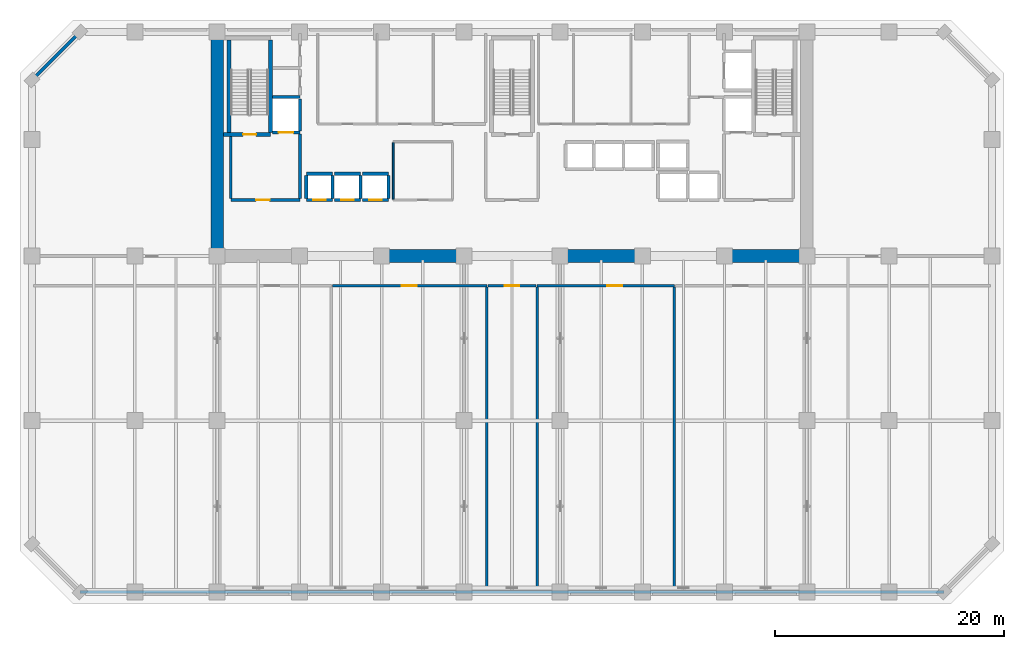
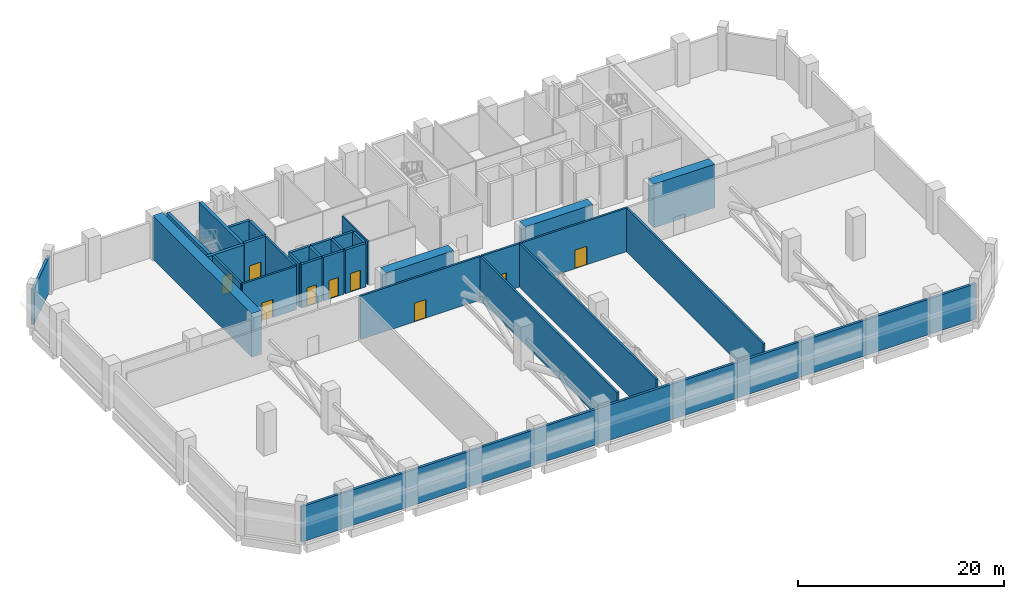
# One storey, part 8 of 15: 32 walls, 9 doors, 9 openings.
"""IFC4 building model written with IfcOpenShell, lengths in metres."""

from ifc_helpers import new_model, si_unit, direction, frame, frame_2d, origin, place, context, subcontext, project, spatial, rectangle, extrude, material, layer, layer_set, type_object, element, fill, save


model = new_model("IFC4")

# Units and contexts
model_context = context("Model", 3, precision=1e-05, world=origin(), true_north=direction((0.0, 1.0)))
body_context = subcontext(model_context, "Body", "Model", "MODEL_VIEW")
ifc_project = project(units=[si_unit("LENGTHUNIT", "METRE"), si_unit("AREAUNIT", "SQUARE_METRE"), si_unit("VOLUMEUNIT", "CUBIC_METRE"), si_unit("PLANEANGLEUNIT", "RADIAN"), si_unit("MASSUNIT", "GRAM", prefix="KILO")], contexts=[model_context])

# Site, building, storey
site_placement = place(None, origin())
site = spatial("IfcSite", under=ifc_project, at=site_placement, CompositionType="ELEMENT")
building_placement = place(site_placement, origin())
building = spatial("IfcBuilding", under=site, at=building_placement, Name="Kaelvorn Grand Hotel", CompositionType="ELEMENT")
storey_placement = place(building_placement, frame((0.0, 0.0, 80.14990234375)))
storey = spatial("IfcBuildingStorey", under=building, at=storey_placement, Name="L18", CompositionType="ELEMENT", Elevation=80.14990234375)

# Walls
ifc_material_1 = material(Name="Concrete C80/95", Category="concrete")
ifc_layer_1 = layer(ifc_material_1, 1.10009765625)
ifc_layer_set_1 = layer_set([ifc_layer_1], Name="Concrete C80/95")
wall_type_1 = type_object("IfcWallType", Name="WL-CORE-1100-C80", PredefinedType="SHEAR", material=ifc_layer_set_1)
wall_1_placement = place(storey_placement, frame((16.199951171875, 29.39990234375, 0.0), z_axis=(0.0, 0.0, 1.0), x_axis=(0.0, 1.0, 0.0)))
element("IfcWall", 1, at=wall_1_placement, inside=storey, type_object=wall_type_1, Name="L18 Rear-Core West Shear Wall", PredefinedType="SHEAR", context=body_context, shape_type="SweptSolid", body=[
    extrude(rectangle(XDim=19.2001953125, YDim=1.10009765625, at=frame_2d((9.60009765625, 0.0))), origin(), (0.0, 0.0, 1.0), 5.16015625),
])
for number, where, z_axis, x_axis, name in (
    (2, (30.39990234375, 29.39990234375, 0.0), (0.0, 0.0, 1.0), (1.0, 0.0, 0.0), "L18 Rear-Core Coupled Shear Pier S2"),
    (3, (46.0, 29.39990234375, 0.0), (0.0, 0.0, 1.0), (1.0, 0.0, 0.0), "L18 Rear-Core Coupled Shear Pier S3"),
):
    element("IfcWall", number, at=place(storey_placement, frame(where, z_axis=z_axis, x_axis=x_axis)), inside=storey, type_object=wall_type_1, Name=name, PredefinedType="SHEAR", context=body_context, shape_type="SweptSolid", body=[
        extrude(rectangle(XDim=7.60009765625, YDim=1.10009765625, at=frame_2d((3.800048828125, 0.0))), origin(), (0.0, 0.0, 1.0), 5.16015625),
    ])
wall_2_placement = place(storey_placement, frame((60.39990234375, 29.39990234375, 0.0), z_axis=(0.0, 0.0, 1.0), x_axis=(1.0, 0.0, 0.0)))
element("IfcWall", 4, at=wall_2_placement, inside=storey, type_object=wall_type_1, Name="L18 Rear-Core Coupled Shear Pier S4", PredefinedType="SHEAR", context=body_context, shape_type="SweptSolid", body=[
    extrude(rectangle(XDim=6.84521484375, YDim=1.10009765625, at=frame_2d((3.422607421875, 0.0))), origin(), (0.0, 0.0, 1.0), 5.16015625),
])
ifc_material_2 = material(Name="Concrete C40/50", Category="concrete")
ifc_layer_2 = layer(ifc_material_2, 0.280029296875)
ifc_layer_set_2 = layer_set([ifc_layer_2], Name="Concrete C40/50")
wall_type_2 = type_object("IfcWallType", Name="WL-EXT-280-C40", PredefinedType="SOLIDWALL", material=ifc_layer_set_2)
wall_3_placement = place(storey_placement, frame((4.199951171875, 0.0, 0.0), z_axis=(0.0, 0.0, 1.0), x_axis=(1.0, 0.0, 0.0)))
element("IfcWall", 5, at=wall_3_placement, inside=storey, type_object=wall_type_2, Name="L18 Exterior Architectural Concrete Wall 01", PredefinedType="SOLIDWALL", context=body_context, shape_type="SweptSolid", body=[
    extrude(rectangle(XDim=75.60009765625, YDim=0.280029296875, at=frame_2d((37.800048828125, 0.0))), origin(), (0.0, 0.0, 1.0), 4.210205078125),
])
wall_4_placement = place(storey_placement, frame((4.199951171875, 49.0, 0.0), z_axis=(0.0, 0.0, 1.0), x_axis=(-0.707106781187, -0.707106781187, 0.0)))
element("IfcWall", 6, at=wall_4_placement, inside=storey, type_object=wall_type_2, Name="L18 Exterior Architectural Concrete Wall 06", PredefinedType="SOLIDWALL", context=body_context, shape_type="SweptSolid", body=[
    extrude(rectangle(XDim=5.939697265625, YDim=0.280029296875, at=frame_2d((2.9697265625, 0.0))), origin(), (0.0, 0.0, 1.0), 4.210205078125),
])
ifc_material_3 = material(Name="Acoustic Gypsum & Stud Partition")
ifc_layer_3 = layer(ifc_material_3, 0.14990234375)
ifc_layer_set_3 = layer_set([ifc_layer_3], Name="Acoustic Gypsum & Stud Partition")
wall_type_3 = type_object("IfcWallType", Name="WL-PART-150-EI60", PredefinedType="PARTITIONING", material=ifc_layer_set_3)
wall_5_placement = place(storey_placement, frame((31.60009765625, 34.3798828125, 0.0), z_axis=(0.0, 0.0, 1.0), x_axis=(0.0, 1.0, 0.0)))
element("IfcWall", 7, at=wall_5_placement, inside=storey, type_object=wall_type_3, Name="L18 Core Telecoms & BMS Server Room W Partition", PredefinedType="PARTITIONING", context=body_context, shape_type="SweptSolid", body=[
    extrude(rectangle(XDim=4.940185546875, YDim=0.14990234375, at=frame_2d((2.47021484375, 0.0))), origin(), (0.0, 0.0, 1.0), 5.16015625),
])

# Wall, opening, door
ifc_layer_4 = layer(ifc_material_2, 0.219970703125)
ifc_layer_set_4 = layer_set([ifc_layer_4], Name="Concrete C40/50")
wall_type_4 = type_object("IfcWallType", Name="WL-PART-220-EI120", PredefinedType="PARTITIONING", material=ifc_layer_set_4)
wall_6_placement = place(storey_placement, frame((17.39990234375, 34.300048828125, 0.0), z_axis=(0.0, 0.0, 1.0), x_axis=(1.0, 0.0, 0.0)))
wall_6 = element("IfcWall", 8, at=wall_6_placement, inside=storey, type_object=wall_type_4, Name="L18 Firefighting Lift Lobby 1 S Partition", PredefinedType="PARTITIONING", context=body_context, shape_type="SweptSolid", body=[
    extrude(rectangle(XDim=6.050048828125, YDim=0.219970703125, at=frame_2d((3.02490234375, 0.0))), origin(), (0.0, 0.0, 1.0), 5.16015625),
])
opening_1_placement = place(wall_6_placement, frame((2.199951171875, 0.0, 0.0)))
opening_1 = element("IfcOpeningElement", 9, at=opening_1_placement, cuts=wall_6, Name="Opening DI2", PredefinedType="OPENING", context=body_context, shape_type="SweptSolid", body=[
    extrude(rectangle(XDim=1.199951171875, YDim=2.14990234375, at=frame_2d((0.60009765625, 1.074951171875))), frame((0.0, 0.1201171875, 0.0), z_axis=(0.0, -1.0, 0.0), x_axis=(1.0, 0.0, 0.0)), (0.0, 0.0, 1.0), 0.239990234375),
])
ifc_material_4 = material(Name="Timber Veneer Fire Leaf", Category="wood")
door_type_1 = type_object("IfcDoorType", Name="DR-INT-FFLOB-1200x2150", OperationType="NOTDEFINED", PredefinedType="DOOR", material=ifc_material_4)
door_1_placement = place(opening_1_placement, origin())
door_1 = element("IfcDoor", 10, at=door_1_placement, inside=storey, type_object=door_type_1, Name="L18 Firefighting Lift Lobby 1 Door", OperationType="SINGLE_SWING_RIGHT", OverallHeight=2.14990234375, OverallWidth=1.199951171875, PredefinedType="DOOR", context=body_context, shape_type="SweptSolid", body=[
    extrude(rectangle(XDim=1.199951171875, YDim=2.14990234375, at=frame_2d((0.60009765625, 1.074951171875))), frame((0.0, 0.02490234375, 0.0), z_axis=(0.0, -1.0, 0.0), x_axis=(1.0, 0.0, 0.0)), (0.0, 0.0, 1.0), 0.050048828125),
])
fill(opening_1, door_1)

# Walls
wall_7_placement = place(storey_placement, frame((17.39990234375, 34.4150390625, 0.0), z_axis=(0.0, 0.0, 1.0), x_axis=(0.0, 1.0, 0.0)))
element("IfcWall", 11, at=wall_7_placement, inside=storey, type_object=wall_type_4, Name="L18 Firefighting Lift Lobby 1 W Partition", PredefinedType="PARTITIONING", context=body_context, shape_type="SweptSolid", body=[
    extrude(rectangle(XDim=5.429931640625, YDim=0.219970703125, at=frame_2d((2.71484375, 0.0))), origin(), (0.0, 0.0, 1.0), 5.16015625),
])
wall_8_placement = place(storey_placement, frame((23.449951171875, 34.4150390625, 0.0), z_axis=(0.0, 0.0, 1.0), x_axis=(0.0, 1.0, 0.0)))
element("IfcWall", 12, at=wall_8_placement, inside=storey, type_object=wall_type_4, Name="L18 Firefighting Lift Lobby 1 E Partition", PredefinedType="PARTITIONING", context=body_context, shape_type="SweptSolid", body=[
    extrude(rectangle(XDim=5.639892578125, YDim=0.219970703125, at=frame_2d((2.81982421875, 0.0))), origin(), (0.0, 0.0, 1.0), 5.16015625),
])

# Wall, opening, door
wall_9_placement = place(storey_placement, frame((26.31494140625, 26.800048828125, 0.0), z_axis=(0.0, 0.0, 1.0), x_axis=(1.0, 0.0, 0.0)))
wall_9 = element("IfcWall", 13, at=wall_9_placement, inside=storey, type_object=wall_type_4, Name="L18 AHU Mechanical Ventilation Plant Room N Partition", PredefinedType="PARTITIONING", context=body_context, shape_type="SweptSolid", body=[
    extrude(rectangle(XDim=13.485107421875, YDim=0.219970703125, at=frame_2d((6.74267578125, 0.0))), origin(), (0.0, 0.0, 1.0), 5.16015625),
])
opening_2_placement = place(wall_9_placement, frame((6.034912109375, 0.0, 0.0)))
opening_2 = element("IfcOpeningElement", 14, at=opening_2_placement, cuts=wall_9, Name="Opening DI6", PredefinedType="OPENING", context=body_context, shape_type="SweptSolid", body=[
    extrude(rectangle(XDim=1.300048828125, YDim=2.199951171875, at=frame_2d((0.64990234375, 1.10009765625))), frame((0.0, 0.1201171875, 0.0), z_axis=(0.0, -1.0, 0.0), x_axis=(1.0, 0.0, 0.0)), (0.0, 0.0, 1.0), 0.239990234375),
])
ifc_material_5 = material(Name="Powder-Coated Steel Leaf", Category="steel")
door_type_2 = type_object("IfcDoorType", Name="DR-INT-PLANT-1300x2200", OperationType="DOUBLE_DOOR_SINGLE_SWING", PredefinedType="DOOR", material=ifc_material_5)
door_2_placement = place(opening_2_placement, origin())
door_2 = element("IfcDoor", 15, at=door_2_placement, inside=storey, type_object=door_type_2, Name="L18 AHU Mechanical Ventilation Plant Room Door", OperationType="DOUBLE_DOOR_SINGLE_SWING", OverallHeight=2.199951171875, OverallWidth=1.300048828125, PredefinedType="DOOR", context=body_context, shape_type="SweptSolid", body=[
    extrude(rectangle(XDim=1.300048828125, YDim=2.199951171875, at=frame_2d((0.64990234375, 1.10009765625))), frame((0.0, 0.02490234375, 0.0), z_axis=(0.0, -1.0, 0.0), x_axis=(1.0, 0.0, 0.0)), (0.0, 0.0, 1.0), 0.050048828125),
])
fill(opening_2, door_2)

# Wall
wall_10_placement = place(storey_placement, frame((39.800048828125, 0.14990234375, 0.0), z_axis=(0.0, 0.0, 1.0), x_axis=(0.0, 1.0, 0.0)))
element("IfcWall", 16, at=wall_10_placement, inside=storey, type_object=wall_type_4, Name="L18 AHU Mechanical Ventilation Plant Room E Partition", PredefinedType="PARTITIONING", context=body_context, shape_type="SweptSolid", body=[
    extrude(rectangle(XDim=26.53515625, YDim=0.219970703125, at=frame_2d((13.267578125, 0.0))), origin(), (0.0, 0.0, 1.0), 5.16015625),
])

# Wall, opening, door
wall_11_placement = place(storey_placement, frame((44.199951171875, 26.800048828125, 0.0), z_axis=(0.0, 0.0, 1.0), x_axis=(1.0, 0.0, 0.0)))
wall_11 = element("IfcWall", 17, at=wall_11_placement, inside=storey, type_object=wall_type_4, Name="L18 HV Electrical Transformer & Switchroom N Partition", PredefinedType="PARTITIONING", context=body_context, shape_type="SweptSolid", body=[
    extrude(rectangle(XDim=12.0, YDim=0.219970703125, at=frame_2d((6.0, 0.0))), origin(), (0.0, 0.0, 1.0), 5.16015625),
])
opening_3_placement = place(wall_11_placement, frame((6.14990234375, 0.0, 0.0)))
opening_3 = element("IfcOpeningElement", 18, at=opening_3_placement, cuts=wall_11, Name="Opening DI6", PredefinedType="OPENING", context=body_context, shape_type="SweptSolid", body=[
    extrude(rectangle(XDim=1.300048828125, YDim=2.199951171875, at=frame_2d((0.64990234375, 1.10009765625))), frame((0.0, 0.1201171875, 0.0), z_axis=(0.0, -1.0, 0.0), x_axis=(1.0, 0.0, 0.0)), (0.0, 0.0, 1.0), 0.239990234375),
])
door_3_placement = place(opening_3_placement, origin())
door_3 = element("IfcDoor", 19, at=door_3_placement, inside=storey, type_object=door_type_2, Name="L18 HV Electrical Transformer & Switchroom Door", OperationType="DOUBLE_DOOR_SINGLE_SWING", OverallHeight=2.199951171875, OverallWidth=1.300048828125, PredefinedType="DOOR", context=body_context, shape_type="SweptSolid", body=[
    extrude(rectangle(XDim=1.300048828125, YDim=2.199951171875, at=frame_2d((0.64990234375, 1.10009765625))), frame((0.0, 0.02490234375, 0.0), z_axis=(0.0, -1.0, 0.0), x_axis=(1.0, 0.0, 0.0)), (0.0, 0.0, 1.0), 0.050048828125),
])
fill(opening_3, door_3)

# Walls
for number, where, z_axis, x_axis, name in (
    (20, (44.199951171875, 0.14990234375, 0.0), (0.0, 0.0, 1.0), (0.0, 1.0, 0.0), "L18 HV Electrical Transformer & Switchroom W Partition"),
    (21, (56.199951171875, 0.14990234375, 0.0), (0.0, 0.0, 1.0), (0.0, 1.0, 0.0), "L18 HV Electrical Transformer & Switchroom E Partition"),
):
    element("IfcWall", number, at=place(storey_placement, frame(where, z_axis=z_axis, x_axis=x_axis)), inside=storey, type_object=wall_type_4, Name=name, PredefinedType="PARTITIONING", context=body_context, shape_type="SweptSolid", body=[
        extrude(rectangle(XDim=26.53515625, YDim=0.219970703125, at=frame_2d((13.267578125, 0.0))), origin(), (0.0, 0.0, 1.0), 5.16015625),
    ])

# Wall, opening, door
wall_12_placement = place(storey_placement, frame((39.9150390625, 26.800048828125, 0.0), z_axis=(0.0, 0.0, 1.0), x_axis=(1.0, 0.0, 0.0)))
wall_12 = element("IfcWall", 22, at=wall_12_placement, inside=storey, type_object=wall_type_4, Name="L18 Smoke Control & BMS Telemetry Room N Partition", PredefinedType="PARTITIONING", context=body_context, shape_type="SweptSolid", body=[
    extrude(rectangle(XDim=4.169921875, YDim=0.219970703125, at=frame_2d((2.0849609375, 0.0))), origin(), (0.0, 0.0, 1.0), 5.16015625),
])
opening_4_placement = place(wall_12_placement, frame((1.43505859375, 0.0, 0.0)))
opening_4 = element("IfcOpeningElement", 23, at=opening_4_placement, cuts=wall_12, Name="Opening DI6", PredefinedType="OPENING", context=body_context, shape_type="SweptSolid", body=[
    extrude(rectangle(XDim=1.300048828125, YDim=2.199951171875, at=frame_2d((0.64990234375, 1.10009765625))), frame((0.0, 0.1201171875, 0.0), z_axis=(0.0, -1.0, 0.0), x_axis=(1.0, 0.0, 0.0)), (0.0, 0.0, 1.0), 0.239990234375),
])
door_4_placement = place(opening_4_placement, origin())
door_4 = element("IfcDoor", 24, at=door_4_placement, inside=storey, type_object=door_type_2, Name="L18 Smoke Control & BMS Telemetry Room Door", OperationType="DOUBLE_DOOR_SINGLE_SWING", OverallHeight=2.199951171875, OverallWidth=1.300048828125, PredefinedType="DOOR", context=body_context, shape_type="SweptSolid", body=[
    extrude(rectangle(XDim=1.300048828125, YDim=2.199951171875, at=frame_2d((0.64990234375, 1.10009765625))), frame((0.0, 0.02490234375, 0.0), z_axis=(0.0, -1.0, 0.0), x_axis=(1.0, 0.0, 0.0)), (0.0, 0.0, 1.0), 0.050048828125),
])
fill(opening_4, door_4)

ifc_material_6 = material(Name="Concrete C50/60", Category="concrete")
ifc_layer_5 = layer(ifc_material_6, 0.280029296875)
ifc_layer_set_5 = layer_set([ifc_layer_5], Name="Concrete C50/60")
wall_type_5 = type_object("IfcWallType", Name="WL-SHAFT-280-C50", PredefinedType="SHEAR", material=ifc_layer_set_5)
wall_13_placement = place(storey_placement, frame((24.0, 34.300048828125, 0.0), z_axis=(0.0, 0.0, 1.0), x_axis=(1.0, 0.0, 0.0)))
wall_13 = element("IfcWall", 25, at=wall_13_placement, inside=storey, type_object=wall_type_5, Name="L18 Lift PL-L1 Shaft South Wall", PredefinedType="SHEAR", context=body_context, shape_type="SweptSolid", body=[
    extrude(rectangle(XDim=2.300048828125, YDim=0.280029296875, at=frame_2d((1.14990234375, 0.0))), origin(), (0.0, 0.0, 1.0), 5.16015625),
])
opening_5_placement = place(wall_13_placement, frame((0.60009765625, 0.0, 0.0)))
opening_5 = element("IfcOpeningElement", 26, at=opening_5_placement, cuts=wall_13, Name="Opening LD-PL-L1", PredefinedType="OPENING", context=body_context, shape_type="SweptSolid", body=[
    extrude(rectangle(XDim=1.10009765625, YDim=2.199951171875, at=frame_2d((0.550048828125, 1.10009765625))), frame((0.0, 0.14990234375, 0.0), z_axis=(0.0, -1.0, 0.0), x_axis=(1.0, 0.0, 0.0)), (0.0, 0.0, 1.0), 0.300048828125),
])
ifc_material_7 = material(Name="Stainless Steel", Category="steel")
door_type_3 = type_object("IfcDoorType", Name="DR-LIFT-PASS-1100x2200", OperationType="DOUBLE_DOOR_SLIDING", PredefinedType="DOOR", material=ifc_material_7)
door_5_placement = place(opening_5_placement, origin())
door_5 = element("IfcDoor", 27, at=door_5_placement, inside=storey, type_object=door_type_3, Name="L18 Lift PL-L1 Sliding Landing Door LD-PL-L1", OperationType="DOUBLE_DOOR_SLIDING", OverallHeight=2.199951171875, OverallWidth=1.10009765625, PredefinedType="DOOR", context=body_context, shape_type="SweptSolid", body=[
    extrude(rectangle(XDim=1.10009765625, YDim=2.199951171875, at=frame_2d((0.550048828125, 1.10009765625))), frame((0.0, 0.02490234375, 0.0), z_axis=(0.0, -1.0, 0.0), x_axis=(1.0, 0.0, 0.0)), (0.0, 0.0, 1.0), 0.050048828125),
])
fill(opening_5, door_5)

# Walls
wall_14_placement = place(storey_placement, frame((24.0, 36.60009765625, 0.0), z_axis=(0.0, 0.0, 1.0), x_axis=(1.0, 0.0, 0.0)))
element("IfcWall", 28, at=wall_14_placement, inside=storey, type_object=wall_type_5, Name="L18 Lift PL-L1 Shaft North Wall", PredefinedType="SHEAR", context=body_context, shape_type="SweptSolid", body=[
    extrude(rectangle(XDim=2.300048828125, YDim=0.280029296875, at=frame_2d((1.14990234375, 0.0))), origin(), (0.0, 0.0, 1.0), 5.16015625),
])
for number, where, z_axis, x_axis, name in (
    (29, (24.0, 34.445068359375, 0.0), (0.0, 0.0, 1.0), (0.0, 1.0, 0.0), "L18 Lift PL-L1 Shaft West Wall"),
    (30, (26.300048828125, 34.445068359375, 0.0), (0.0, 0.0, 1.0), (0.0, 1.0, 0.0), "L18 Lift PL-L1 Shaft East Wall"),
):
    element("IfcWall", number, at=place(storey_placement, frame(where, z_axis=z_axis, x_axis=x_axis)), inside=storey, type_object=wall_type_5, Name=name, PredefinedType="SHEAR", context=body_context, shape_type="SweptSolid", body=[
        extrude(rectangle(XDim=2.010009765625, YDim=0.280029296875, at=frame_2d((1.0048828125, 0.0))), origin(), (0.0, 0.0, 1.0), 5.16015625),
    ])

# Wall, opening, door
wall_15_placement = place(storey_placement, frame((26.449951171875, 34.300048828125, 0.0), z_axis=(0.0, 0.0, 1.0), x_axis=(1.0, 0.0, 0.0)))
wall_15 = element("IfcWall", 31, at=wall_15_placement, inside=storey, type_object=wall_type_5, Name="L18 Lift PL-L2 Shaft South Wall", PredefinedType="SHEAR", context=body_context, shape_type="SweptSolid", body=[
    extrude(rectangle(XDim=2.300048828125, YDim=0.280029296875, at=frame_2d((1.14990234375, 0.0))), origin(), (0.0, 0.0, 1.0), 5.16015625),
])
opening_6_placement = place(wall_15_placement, frame((0.60009765625, 0.0, 0.0)))
opening_6 = element("IfcOpeningElement", 32, at=opening_6_placement, cuts=wall_15, Name="Opening LD-PL-L2", PredefinedType="OPENING", context=body_context, shape_type="SweptSolid", body=[
    extrude(rectangle(XDim=1.10009765625, YDim=2.199951171875, at=frame_2d((0.550048828125, 1.10009765625))), frame((0.0, 0.14990234375, 0.0), z_axis=(0.0, -1.0, 0.0), x_axis=(1.0, 0.0, 0.0)), (0.0, 0.0, 1.0), 0.300048828125),
])
door_6_placement = place(opening_6_placement, origin())
door_6 = element("IfcDoor", 33, at=door_6_placement, inside=storey, type_object=door_type_3, Name="L18 Lift PL-L2 Sliding Landing Door LD-PL-L2", OperationType="DOUBLE_DOOR_SLIDING", OverallHeight=2.199951171875, OverallWidth=1.10009765625, PredefinedType="DOOR", context=body_context, shape_type="SweptSolid", body=[
    extrude(rectangle(XDim=1.10009765625, YDim=2.199951171875, at=frame_2d((0.550048828125, 1.10009765625))), frame((0.0, 0.02490234375, 0.0), z_axis=(0.0, -1.0, 0.0), x_axis=(1.0, 0.0, 0.0)), (0.0, 0.0, 1.0), 0.050048828125),
])
fill(opening_6, door_6)

# Walls
wall_16_placement = place(storey_placement, frame((26.449951171875, 36.60009765625, 0.0), z_axis=(0.0, 0.0, 1.0), x_axis=(1.0, 0.0, 0.0)))
element("IfcWall", 34, at=wall_16_placement, inside=storey, type_object=wall_type_5, Name="L18 Lift PL-L2 Shaft North Wall", PredefinedType="SHEAR", context=body_context, shape_type="SweptSolid", body=[
    extrude(rectangle(XDim=2.300048828125, YDim=0.280029296875, at=frame_2d((1.14990234375, 0.0))), origin(), (0.0, 0.0, 1.0), 5.16015625),
])
wall_17_placement = place(storey_placement, frame((28.75, 34.445068359375, 0.0), z_axis=(0.0, 0.0, 1.0), x_axis=(0.0, 1.0, 0.0)))
element("IfcWall", 35, at=wall_17_placement, inside=storey, type_object=wall_type_5, Name="L18 Lift PL-L2 Shaft East Wall", PredefinedType="SHEAR", context=body_context, shape_type="SweptSolid", body=[
    extrude(rectangle(XDim=2.010009765625, YDim=0.280029296875, at=frame_2d((1.0048828125, 0.0))), origin(), (0.0, 0.0, 1.0), 5.16015625),
])

# Wall, opening, door
wall_18_placement = place(storey_placement, frame((28.89990234375, 34.300048828125, 0.0), z_axis=(0.0, 0.0, 1.0), x_axis=(1.0, 0.0, 0.0)))
wall_18 = element("IfcWall", 36, at=wall_18_placement, inside=storey, type_object=wall_type_5, Name="L18 Lift PL-L3 Shaft South Wall", PredefinedType="SHEAR", context=body_context, shape_type="SweptSolid", body=[
    extrude(rectangle(XDim=2.300048828125, YDim=0.280029296875, at=frame_2d((1.14990234375, 0.0))), origin(), (0.0, 0.0, 1.0), 5.16015625),
])
opening_7_placement = place(wall_18_placement, frame((0.60009765625, 0.0, 0.0)))
opening_7 = element("IfcOpeningElement", 37, at=opening_7_placement, cuts=wall_18, Name="Opening LD-PL-L3", PredefinedType="OPENING", context=body_context, shape_type="SweptSolid", body=[
    extrude(rectangle(XDim=1.10009765625, YDim=2.199951171875, at=frame_2d((0.550048828125, 1.10009765625))), frame((0.0, 0.14990234375, 0.0), z_axis=(0.0, -1.0, 0.0), x_axis=(1.0, 0.0, 0.0)), (0.0, 0.0, 1.0), 0.300048828125),
])
door_7_placement = place(opening_7_placement, origin())
door_7 = element("IfcDoor", 38, at=door_7_placement, inside=storey, type_object=door_type_3, Name="L18 Lift PL-L3 Sliding Landing Door LD-PL-L3", OperationType="DOUBLE_DOOR_SLIDING", OverallHeight=2.199951171875, OverallWidth=1.10009765625, PredefinedType="DOOR", context=body_context, shape_type="SweptSolid", body=[
    extrude(rectangle(XDim=1.10009765625, YDim=2.199951171875, at=frame_2d((0.550048828125, 1.10009765625))), frame((0.0, 0.02490234375, 0.0), z_axis=(0.0, -1.0, 0.0), x_axis=(1.0, 0.0, 0.0)), (0.0, 0.0, 1.0), 0.050048828125),
])
fill(opening_7, door_7)

# Walls
wall_19_placement = place(storey_placement, frame((28.89990234375, 36.60009765625, 0.0), z_axis=(0.0, 0.0, 1.0), x_axis=(1.0, 0.0, 0.0)))
element("IfcWall", 39, at=wall_19_placement, inside=storey, type_object=wall_type_5, Name="L18 Lift PL-L3 Shaft North Wall", PredefinedType="SHEAR", context=body_context, shape_type="SweptSolid", body=[
    extrude(rectangle(XDim=2.300048828125, YDim=0.280029296875, at=frame_2d((1.14990234375, 0.0))), origin(), (0.0, 0.0, 1.0), 5.16015625),
])
wall_20_placement = place(storey_placement, frame((31.199951171875, 34.445068359375, 0.0), z_axis=(0.0, 0.0, 1.0), x_axis=(0.0, 1.0, 0.0)))
element("IfcWall", 40, at=wall_20_placement, inside=storey, type_object=wall_type_5, Name="L18 Lift PL-L3 Shaft East Wall", PredefinedType="SHEAR", context=body_context, shape_type="SweptSolid", body=[
    extrude(rectangle(XDim=2.010009765625, YDim=0.280029296875, at=frame_2d((1.0048828125, 0.0))), origin(), (0.0, 0.0, 1.0), 5.16015625),
])

# Wall, opening, door
wall_21_placement = place(storey_placement, frame((21.034912109375, 40.199951171875, 0.0), z_axis=(0.0, 0.0, 1.0), x_axis=(1.0, 0.0, 0.0)))
wall_21 = element("IfcWall", 41, at=wall_21_placement, inside=storey, type_object=wall_type_5, Name="L18 Lift FFL1 Shaft South Wall", PredefinedType="SHEAR", context=body_context, shape_type="SweptSolid", body=[
    extrude(rectangle(XDim=2.4150390625, YDim=0.280029296875, at=frame_2d((1.20751953125, 0.0))), origin(), (0.0, 0.0, 1.0), 5.16015625),
])
opening_8_placement = place(wall_21_placement, frame((0.5400390625, 0.0, 0.0)))
opening_8 = element("IfcOpeningElement", 42, at=opening_8_placement, cuts=wall_21, Name="Opening LD-FFL1", PredefinedType="OPENING", context=body_context, shape_type="SweptSolid", body=[
    extrude(rectangle(XDim=1.300048828125, YDim=2.300048828125, at=frame_2d((0.64990234375, 1.14990234375))), frame((0.0, 0.14990234375, 0.0), z_axis=(0.0, -1.0, 0.0), x_axis=(1.0, 0.0, 0.0)), (0.0, 0.0, 1.0), 0.300048828125),
])
door_type_4 = type_object("IfcDoorType", Name="DR-LIFT-SERV-1300x2300", OperationType="DOUBLE_DOOR_SLIDING", PredefinedType="DOOR", material=ifc_material_7)
door_8_placement = place(opening_8_placement, origin())
door_8 = element("IfcDoor", 43, at=door_8_placement, inside=storey, type_object=door_type_4, Name="L18 Lift FFL1 Sliding Landing Door LD-FFL1", OperationType="DOUBLE_DOOR_SLIDING", OverallHeight=2.300048828125, OverallWidth=1.300048828125, PredefinedType="DOOR", context=body_context, shape_type="SweptSolid", body=[
    extrude(rectangle(XDim=1.300048828125, YDim=2.300048828125, at=frame_2d((0.64990234375, 1.14990234375))), frame((0.0, 0.02490234375, 0.0), z_axis=(0.0, -1.0, 0.0), x_axis=(1.0, 0.0, 0.0)), (0.0, 0.0, 1.0), 0.050048828125),
])
fill(opening_8, door_8)

# Walls
wall_22_placement = place(storey_placement, frame((21.034912109375, 43.300048828125, 0.0), z_axis=(0.0, 0.0, 1.0), x_axis=(1.0, 0.0, 0.0)))
element("IfcWall", 44, at=wall_22_placement, inside=storey, type_object=wall_type_5, Name="L18 Lift FFL1 Shaft North Wall", PredefinedType="SHEAR", context=body_context, shape_type="SweptSolid", body=[
    extrude(rectangle(XDim=2.4150390625, YDim=0.280029296875, at=frame_2d((1.20751953125, 0.0))), origin(), (0.0, 0.0, 1.0), 5.16015625),
])
wall_23_placement = place(storey_placement, frame((23.449951171875, 40.344970703125, 0.0), z_axis=(0.0, 0.0, 1.0), x_axis=(0.0, 1.0, 0.0)))
element("IfcWall", 45, at=wall_23_placement, inside=storey, type_object=wall_type_5, Name="L18 Lift FFL1 Shaft East Wall", PredefinedType="SHEAR", context=body_context, shape_type="SweptSolid", body=[
    extrude(rectangle(XDim=2.81005859375, YDim=0.280029296875, at=frame_2d((1.405029296875, 0.0))), origin(), (0.0, 0.0, 1.0), 5.16015625),
])

# Wall, opening, door
ifc_material_8 = material(Name="Concrete C60/75", Category="concrete")
ifc_layer_6 = layer(ifc_material_8, 0.35009765625)
ifc_layer_set_6 = layer_set([ifc_layer_6], Name="Concrete C60/75")
wall_type_6 = type_object("IfcWallType", Name="WL-SHAFT-350-C60", PredefinedType="SHEAR", material=ifc_layer_set_6)
wall_24_placement = place(storey_placement, frame((16.7548828125, 40.02490234375, 0.0), z_axis=(0.0, 0.0, 1.0), x_axis=(1.0, 0.0, 0.0)))
wall_24 = element("IfcWall", 46, at=wall_24_placement, inside=storey, type_object=wall_type_6, Name="L18 ST1 Stair Shaft South Wall", PredefinedType="SHEAR", context=body_context, shape_type="SweptSolid", body=[
    extrude(rectangle(XDim=4.10009765625, YDim=0.35009765625, at=frame_2d((2.050048828125, 0.0))), origin(), (0.0, 0.0, 1.0), 5.16015625),
])
opening_9_placement = place(wall_24_placement, frame((1.7099609375, 0.0, 0.0)))
opening_9 = element("IfcOpeningElement", 47, at=opening_9_placement, cuts=wall_24, Name="Opening DI1", PredefinedType="OPENING", context=body_context, shape_type="SweptSolid", body=[
    extrude(rectangle(XDim=1.14990234375, YDim=2.14990234375, at=frame_2d((0.574951171875, 1.074951171875))), frame((0.0, 0.18505859375, 0.0), z_axis=(0.0, -1.0, 0.0), x_axis=(1.0, 0.0, 0.0)), (0.0, 0.0, 1.0), 0.3701171875),
])
door_type_5 = type_object("IfcDoorType", Name="DR-INT-STAIR-1150x2150", OperationType="NOTDEFINED", PredefinedType="DOOR", material=ifc_material_4)
door_9_placement = place(opening_9_placement, origin())
door_9 = element("IfcDoor", 48, at=door_9_placement, inside=storey, type_object=door_type_5, Name="L18 ST1 Exit Stair Fire Door", OperationType="SINGLE_SWING_LEFT", OverallHeight=2.14990234375, OverallWidth=1.14990234375, PredefinedType="DOOR", context=body_context, shape_type="SweptSolid", body=[
    extrude(rectangle(XDim=1.14990234375, YDim=2.14990234375, at=frame_2d((0.574951171875, 1.074951171875))), frame((0.0, 0.02490234375, 0.0), z_axis=(0.0, -1.0, 0.0), x_axis=(1.0, 0.0, 0.0)), (0.0, 0.0, 1.0), 0.050048828125),
])
fill(opening_9, door_9)

# Walls
for number, where, z_axis, x_axis, name in (
    (49, (17.22509765625, 40.205078125, 0.0), (0.0, 0.0, 1.0), (0.0, 1.0, 0.0), "L18 ST1 Stair Shaft West Wall"),
    (50, (20.85498046875, 40.205078125, 0.0), (0.0, 0.0, 1.0), (0.0, 1.0, 0.0), "L18 ST1 Stair Shaft East Wall"),
):
    element("IfcWall", number, at=place(storey_placement, frame(where, z_axis=z_axis, x_axis=x_axis)), inside=storey, type_object=wall_type_6, Name=name, PredefinedType="SHEAR", context=body_context, shape_type="SweptSolid", body=[
        extrude(rectangle(XDim=8.08984375, YDim=0.35009765625, at=frame_2d((4.044921875, 0.0))), origin(), (0.0, 0.0, 1.0), 5.16015625),
    ])

save(model, "model.ifc")
